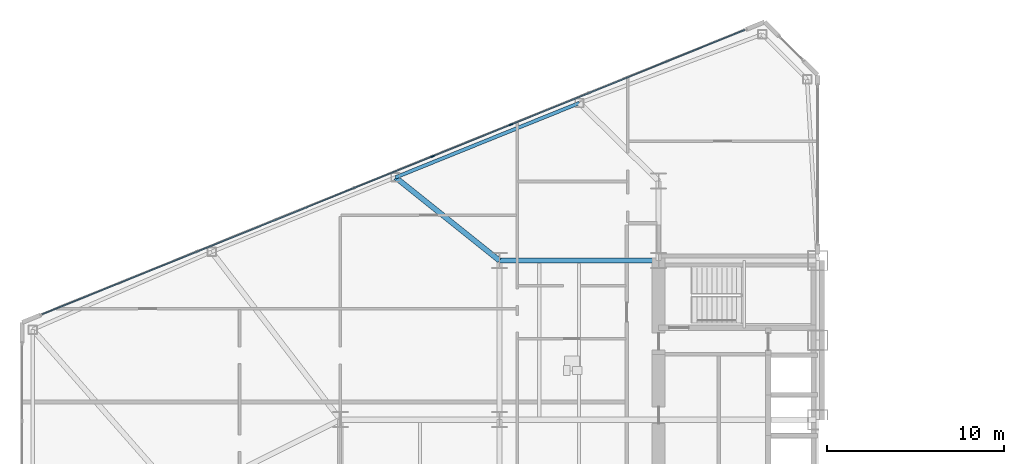
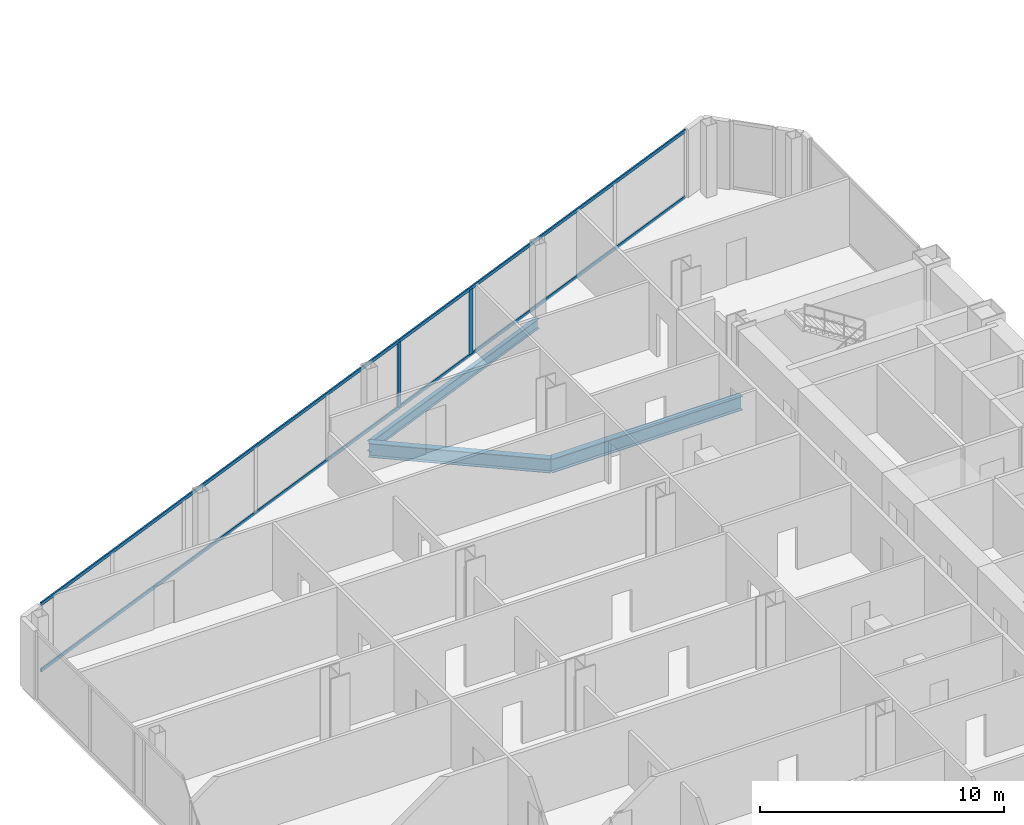
# One storey, part 7 of 25: 4 members, 3 beams, 1 element without a shape of its own.
"""IFC4 building model written with IfcOpenShell, lengths in metres."""

from ifc_helpers import new_model, si_unit, direction, frame, origin, origin_2d, place, context, subcontext, project, spatial, rectangle, i_section, extrude, source, transform, mapped, material, layer, layer_set, material_profile, profile_set, type_object, type_shapes, element, aggregate, save


model = new_model("IFC4")

# Units and contexts
model_context = context("Model", 3, precision=1e-05, world=origin(), true_north=direction((0.0, 1.0)))
body_context = subcontext(model_context, "Body", "Model", "MODEL_VIEW")
ifc_project = project(units=[si_unit("LENGTHUNIT", "METRE"), si_unit("AREAUNIT", "SQUARE_METRE"), si_unit("VOLUMEUNIT", "CUBIC_METRE"), si_unit("PLANEANGLEUNIT", "RADIAN"), si_unit("MASSUNIT", "GRAM", prefix="KILO")], contexts=[model_context])

# Site, building, storey
site_placement = place(None, origin())
site = spatial("IfcSite", under=ifc_project, at=site_placement, CompositionType="ELEMENT")
building_placement = place(site_placement, origin())
building = spatial("IfcBuilding", under=site, at=building_placement, Name="Seokmaru Belvedere", CompositionType="ELEMENT")
storey_placement = place(building_placement, frame((0.0, 0.0, 44.10009765625)))
storey = spatial("IfcBuildingStorey", under=building, at=storey_placement, Name="L11", CompositionType="ELEMENT", Elevation=44.10009765625)

# Beams
ifc_material_1 = material(Name="Steel SM355 (355 MPa)", Category="steel")
ifc_material_profile_1 = material_profile(ifc_material_1, i_section(OverallWidth=0.300048828125, OverallDepth=0.699951171875, WebThickness=0.012939453125, FlangeThickness=0.02392578125, at=origin_2d()), Name="H-700x300x13x24")
ifc_profile_set_1 = profile_set([ifc_material_profile_1], Name="Steel SM355 (355 MPa)")
beam_type_1 = type_object("IfcBeamType", Name="Primary Floor Girder H-700", PredefinedType="BEAM", material=ifc_profile_set_1)
shared_shape_1 = source(origin(), body_context, "Body", "SweptSolid", [
    extrude(i_section(OverallWidth=0.300048828125, OverallDepth=0.699951171875, WebThickness=0.012939453125, FlangeThickness=0.02392578125, at=origin_2d()), origin(), (0.0, 0.0, 1.0), 9.0),
])
beam_1_placement = place(storey_placement, frame((-45.5, 13.5, -0.570068359375), z_axis=(1.0, 0.0, 0.0), x_axis=(0.0, 1.0, 0.0)))
element("IfcBeam", 1, at=beam_1_placement, inside=storey, type_object=beam_type_1, Name="L11 W Wing Primary Girder 4", PredefinedType="BEAM", context=body_context, shape_type="MappedRepresentation", body=[
    mapped(shared_shape_1, transform((0.0, 0.0, 0.0), scale=1.0)),
])
ifc_material_profile_2 = material_profile(ifc_material_1, i_section(OverallWidth=0.199951171875, OverallDepth=0.5, WebThickness=0.010009765625, FlangeThickness=0.01611328125, at=origin_2d()), Name="H-500x200x10x16")
ifc_profile_set_2 = profile_set([ifc_material_profile_2], Name="Steel SM355 (355 MPa)")
beam_type_2 = type_object("IfcBeamType", Name="Perimeter Spandrel Beam H-500", PredefinedType="SPANDREL", material=ifc_profile_set_2)
shared_shape_2 = source(origin(), body_context, "Body", "SweptSolid", [
    extrude(i_section(OverallWidth=0.199951171875, OverallDepth=0.5, WebThickness=0.010009765625, FlangeThickness=0.01611328125, at=origin_2d()), origin(), (0.0, 0.0, 1.0), 11.220703125),
])
type_shapes(beam_type_2, [shared_shape_2])
beam_2_placement = place(storey_placement, frame((-40.977294921875, 22.4140625, -0.47021484375), z_axis=(-0.926944290816, -0.375198989503, 0.0), x_axis=(0.375198989503, -0.926944290816, 0.0)))
element("IfcBeam", 2, at=beam_2_placement, inside=storey, type_object=beam_type_2, Name="L11 W Faceted Flank Spandrel N-2", PredefinedType="SPANDREL", context=body_context, shape_type="MappedRepresentation", body=[
    mapped(shared_shape_2, transform((0.0, 0.0, 0.0), scale=1.0)),
])
shared_shape_3 = source(origin(), body_context, "Body", "SweptSolid", [
    extrude(i_section(OverallWidth=0.300048828125, OverallDepth=0.699951171875, WebThickness=0.012939453125, FlangeThickness=0.02392578125, at=origin_2d()), origin(), (0.0, 0.0, 1.0), 7.52880859375),
])
type_shapes(beam_type_1, [shared_shape_1, shared_shape_3])
beam_3_placement = place(storey_placement, frame((-51.378173828125, 18.2041015625, -0.570068359375), z_axis=(0.780767560736, -0.624821587418, 0.0), x_axis=(0.624821587418, 0.780767560736, 0.0)))
element("IfcBeam", 3, at=beam_3_placement, inside=storey, type_object=beam_type_1, Name="L11 W Flank Radial Floor Girder N-2", PredefinedType="BEAM", context=body_context, shape_type="MappedRepresentation", body=[
    mapped(shared_shape_3, transform((0.0, 0.0, 0.0), scale=1.0)),
])

# Curtain wall, members
ifc_material_2 = material(Name="Bronze Triple Insulating Glass", Category="glass")
ifc_layer = layer(ifc_material_2, 0.2099609375)
ifc_layer_set = layer_set([ifc_layer], Name="Bronze Triple Insulating Glass")
curtain_wall_type = type_object("IfcCurtainWallType", Name="Low-Rise Faceted Crystal Curtain Wall System CW-2", PredefinedType="NOTDEFINED", material=ifc_layer_set)
curtain_wall_placement = place(storey_placement, origin())
curtain_wall = element("IfcCurtainWall", 4, at=curtain_wall_placement, inside=storey, type_object=curtain_wall_type, Name="L11 Curtain Wall WF3", PredefinedType="NOTDEFINED")
ifc_material_3 = material(Name="Anodised Bronze Aluminium", Category="aluminium")
ifc_material_profile_3 = material_profile(ifc_material_3, rectangle(XDim=0.074951171875, YDim=0.2099609375, at=origin_2d()), Name="CW-M-75x210")
ifc_profile_set_3 = profile_set([ifc_material_profile_3], Name="Anodised Bronze Aluminium")
member_type_1 = type_object("IfcMemberType", Name="Bronze Unitised Mullion 75x210", PredefinedType="MULLION", material=ifc_profile_set_3)
shared_shape_4 = source(origin(), body_context, "Body", "SweptSolid", [
    extrude(rectangle(XDim=0.074951171875, YDim=0.2099609375, at=origin_2d()), origin(), (0.0, 0.0, 1.0), 3.239990234375),
])
type_shapes(member_type_1, [shared_shape_4])
member_1_placement = place(storey_placement, frame((-44.855224609375, 21.189453125, 0.06982421875), z_axis=(0.0, 0.0, 1.0), x_axis=(0.375192321888, -0.926946989637, 0.0)))
member_1 = element("IfcMember", 5, at=member_1_placement, type_object=member_type_1, Name="CW:L11:WF3 Mullion 4", PredefinedType="MULLION", context=body_context, shape_type="MappedRepresentation", body=[
    mapped(shared_shape_4, transform((0.0, 0.0, 0.0), scale=1.0)),
])
member_2_placement = place(storey_placement, frame((-49.28515625, 19.396484375, 0.06982421875), z_axis=(0.0, 0.0, 1.0), x_axis=(0.375192321888, -0.926946989637, 0.0)))
member_2 = element("IfcMember", 6, at=member_2_placement, type_object=member_type_1, Name="CW:L11:WF3 Mullion 5", PredefinedType="MULLION", context=body_context, shape_type="MappedRepresentation", body=[
    mapped(shared_shape_4, transform((0.0, 0.0, 0.0), scale=1.0)),
])
ifc_material_profile_4 = material_profile(ifc_material_3, rectangle(XDim=0.070068359375, YDim=0.1650390625, at=origin_2d()), Name="CW-T-70x165")
ifc_profile_set_4 = profile_set([ifc_material_profile_4], Name="Anodised Bronze Aluminium")
member_type_2 = type_object("IfcMemberType", Name="Bronze Unitised Transom 70x165", PredefinedType="USERDEFINED", material=ifc_profile_set_4)
shared_shape_5 = source(origin(), body_context, "Body", "SweptSolid", [
    extrude(rectangle(XDim=0.070068359375, YDim=0.1650390625, at=origin_2d()), origin(), (0.0, 0.0, 1.0), 42.860107421875),
])
type_shapes(member_type_2, [shared_shape_5])
member_3_placement = place(storey_placement, frame((-31.635498046875, 26.540283203125, 0.034912109375), z_axis=(-0.926948605599, -0.375188329481, 0.0), x_axis=(0.375188329481, -0.926948605599, 0.0)))
member_3 = element("IfcMember", 7, at=member_3_placement, type_object=member_type_2, Name="CW:L11:WF3 Continuous Transom 1", ObjectType="TRANSOM", PredefinedType="USERDEFINED", context=body_context, shape_type="MappedRepresentation", body=[
    mapped(shared_shape_5, transform((0.0, 0.0, 0.0), scale=1.0)),
])
member_4_placement = place(storey_placement, frame((-31.635498046875, 26.540283203125, 3.344970703125), z_axis=(-0.926948605599, -0.375188329481, 0.0), x_axis=(0.375188329481, -0.926948605599, 0.0)))
member_4 = element("IfcMember", 8, at=member_4_placement, type_object=member_type_2, Name="CW:L11:WF3 Continuous Transom 2", ObjectType="TRANSOM", PredefinedType="USERDEFINED", context=body_context, shape_type="MappedRepresentation", body=[
    mapped(shared_shape_5, transform((0.0, 0.0, 0.0), scale=1.0)),
])
aggregate(curtain_wall, [member_1, member_2, member_3, member_4])

save(model, "model.ifc")
